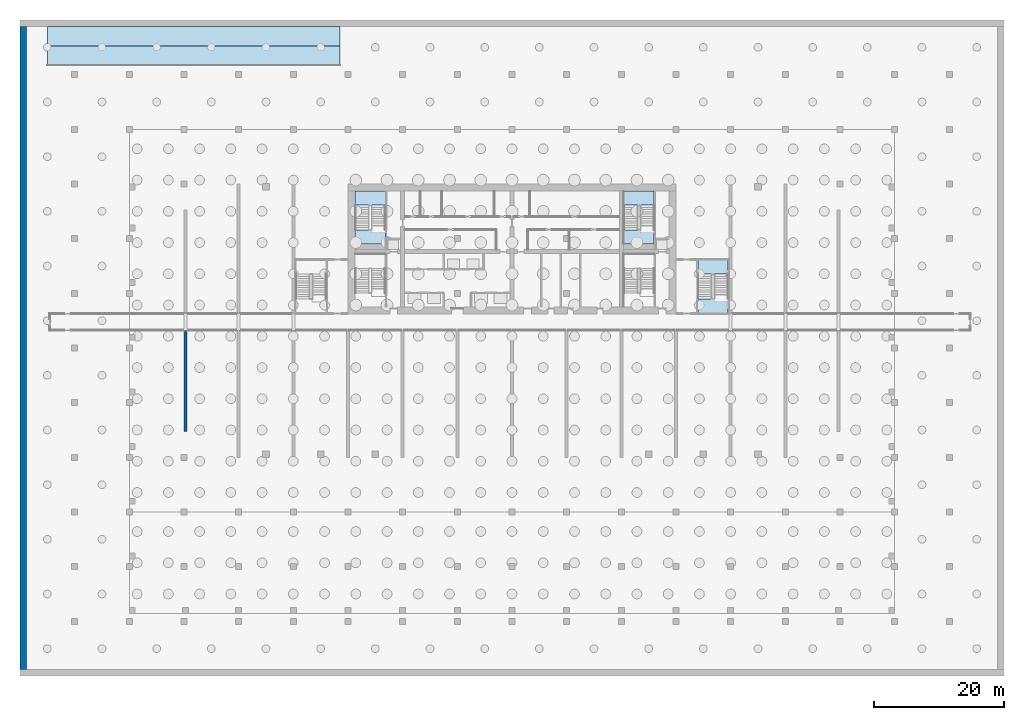
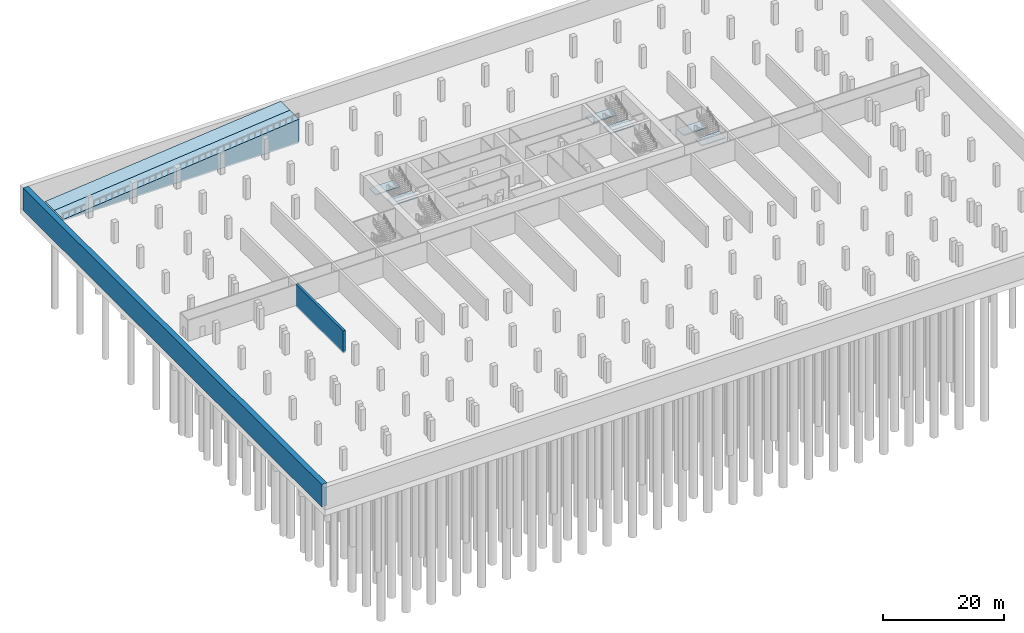
# One storey, part 4 of 17: 8 slabs, 2 walls, 3 elements without a shape of their own.
"""IFC4 building model written with IfcOpenShell, lengths in metres."""

from ifc_helpers import new_model, si_unit, direction, frame, frame_2d, origin, place, context, subcontext, project, spatial, polyline, rectangle, outline, extrude, source, transform, mapped, material, layer, layer_set, type_object, element, aggregate, save


model = new_model("IFC4")

# Units and contexts
model_context = context("Model", 3, precision=1e-05, world=origin(), true_north=direction((0.0, 1.0)))
body_context = subcontext(model_context, "Body", "Model", "MODEL_VIEW")
ifc_project = project(units=[si_unit("LENGTHUNIT", "METRE"), si_unit("AREAUNIT", "SQUARE_METRE"), si_unit("VOLUMEUNIT", "CUBIC_METRE"), si_unit("PLANEANGLEUNIT", "RADIAN"), si_unit("MASSUNIT", "GRAM", prefix="KILO")], contexts=[model_context])

# Site, building, storey
site_placement = place(None, origin())
site = spatial("IfcSite", under=ifc_project, at=site_placement, CompositionType="ELEMENT")
building_placement = place(site_placement, origin())
building = spatial("IfcBuilding", under=site, at=building_placement, Name="Vanashikhar Sky Hotel", CompositionType="ELEMENT")
storey_placement = place(building_placement, frame((0.0, 0.0, -13.5)))
storey = spatial("IfcBuildingStorey", under=building, at=storey_placement, Name="B3", CompositionType="ELEMENT", Elevation=-13.5)

# Stair, slabs
ifc_material_1 = material(Name="Concrete M40", Category="concrete")
stair_type = type_object("IfcStairType", Name="Exit stair 2150", PredefinedType="DOUBLE_RETURN_STAIR", material=ifc_material_1)
stair_1_placement = place(storey_placement, origin())
stair_1 = element("IfcStair", 1, at=stair_1_placement, inside=storey, type_object=stair_type, Name="B3 Exit stair 4", PredefinedType="DOUBLE_RETURN_STAIR")
ifc_layer_1 = layer(ifc_material_1, 0.199951171875)
ifc_layer_set_1 = layer_set([ifc_layer_1], Name="Stair landing 200")
slab_type_1 = type_object("IfcSlabType", Name="Stair landing 200", PredefinedType="LANDING", material=ifc_layer_set_1)
shared_shape_1 = source(origin(), body_context, "Body", "SweptSolid", [
    extrude(outline(polyline([(83.60009765625, 28.14990234375), (83.60009765625, 30.300048828125), (78.949951171875, 30.300048828125), (78.949951171875, 28.14990234375), (83.60009765625, 28.14990234375)])), origin(), (0.0, 0.0, 1.0), 0.199951171875),
])
slab_1_placement = place(storey_placement, frame((0.0, 0.0, 1.300048828125)))
slab_1 = element("IfcSlab", 2, at=slab_1_placement, type_object=slab_type_1, Name="ST-E landing 1", PredefinedType="LANDING", context=body_context, shape_type="MappedRepresentation", body=[
    mapped(shared_shape_1, transform((0.0, 0.0, 0.0), scale=1.0)),
])
shared_shape_2 = source(origin(), body_context, "Body", "SweptSolid", [
    extrude(outline(polyline([(83.60009765625, 22.199951171875), (83.60009765625, 24.35009765625), (78.949951171875, 24.35009765625), (78.949951171875, 22.199951171875), (83.60009765625, 22.199951171875)])), origin(), (0.0, 0.0, 1.0), 0.199951171875),
])
slab_2_placement = place(storey_placement, frame((0.0, 0.0, 2.800048828125)))
slab_2 = element("IfcSlab", 3, at=slab_2_placement, type_object=slab_type_1, Name="ST-E landing 2", PredefinedType="LANDING", context=body_context, shape_type="MappedRepresentation", body=[
    mapped(shared_shape_2, transform((0.0, 0.0, 0.0), scale=1.0)),
])
aggregate(stair_1, [slab_1, slab_2])

stair_2_placement = place(storey_placement, origin())
stair_2 = element("IfcStair", 4, at=stair_2_placement, inside=storey, type_object=stair_type, Name="B3 Exit stair 5", PredefinedType="DOUBLE_RETURN_STAIR")
shared_shape_3 = source(origin(), body_context, "Body", "SweptSolid", [
    extrude(outline(polyline([(30.949951171875, 38.75), (30.949951171875, 40.89990234375), (26.300048828125, 40.89990234375), (26.300048828125, 38.75), (30.949951171875, 38.75)])), origin(), (0.0, 0.0, 1.0), 0.199951171875),
])
slab_3_placement = place(storey_placement, frame((0.0, 0.0, 1.300048828125)))
slab_3 = element("IfcSlab", 5, at=slab_3_placement, type_object=slab_type_1, Name="ST-C3 landing 1", PredefinedType="LANDING", context=body_context, shape_type="MappedRepresentation", body=[
    mapped(shared_shape_3, transform((0.0, 0.0, 0.0), scale=1.0)),
])
shared_shape_4 = source(origin(), body_context, "Body", "SweptSolid", [
    extrude(outline(polyline([(30.949951171875, 32.800048828125), (30.949951171875, 34.949951171875), (26.300048828125, 34.949951171875), (26.300048828125, 32.800048828125), (30.949951171875, 32.800048828125)])), origin(), (0.0, 0.0, 1.0), 0.199951171875),
])
slab_4_placement = place(storey_placement, frame((0.0, 0.0, 2.800048828125)))
slab_4 = element("IfcSlab", 6, at=slab_4_placement, type_object=slab_type_1, Name="ST-C3 landing 2", PredefinedType="LANDING", context=body_context, shape_type="MappedRepresentation", body=[
    mapped(shared_shape_4, transform((0.0, 0.0, 0.0), scale=1.0)),
])
aggregate(stair_2, [slab_3, slab_4])

stair_3_placement = place(storey_placement, origin())
stair_3 = element("IfcStair", 7, at=stair_3_placement, inside=storey, type_object=stair_type, Name="B3 Exit stair 6", PredefinedType="DOUBLE_RETURN_STAIR")
shared_shape_5 = source(origin(), body_context, "Body", "SweptSolid", [
    extrude(outline(polyline([(72.25, 38.75), (72.25, 40.89990234375), (67.60009765625, 40.89990234375), (67.60009765625, 38.75), (72.25, 38.75)])), origin(), (0.0, 0.0, 1.0), 0.199951171875),
])
slab_5_placement = place(storey_placement, frame((0.0, 0.0, 1.300048828125)))
slab_5 = element("IfcSlab", 8, at=slab_5_placement, type_object=slab_type_1, Name="ST-C4 landing 1", PredefinedType="LANDING", context=body_context, shape_type="MappedRepresentation", body=[
    mapped(shared_shape_5, transform((0.0, 0.0, 0.0), scale=1.0)),
])
shared_shape_6 = source(origin(), body_context, "Body", "SweptSolid", [
    extrude(outline(polyline([(72.25, 32.800048828125), (72.25, 34.949951171875), (67.60009765625, 34.949951171875), (67.60009765625, 32.800048828125), (72.25, 32.800048828125)])), origin(), (0.0, 0.0, 1.0), 0.199951171875),
])
slab_6_placement = place(storey_placement, frame((0.0, 0.0, 2.800048828125)))
slab_6 = element("IfcSlab", 9, at=slab_6_placement, type_object=slab_type_1, Name="ST-C4 landing 2", PredefinedType="LANDING", context=body_context, shape_type="MappedRepresentation", body=[
    mapped(shared_shape_6, transform((0.0, 0.0, 0.0), scale=1.0)),
])
aggregate(stair_3, [slab_5, slab_6])

# Slabs
ifc_material_2 = material(Name="Concrete M30", Category="concrete")
slab_type_2 = type_object("IfcSlabType", Name="Vehicle ramp flight on fill", PredefinedType="USERDEFINED", material=ifc_material_2)
shared_shape_7 = source(origin(), body_context, "Body", "SweptSolid", [
    extrude(outline(polyline([(0.0, 0.0), (45.0, 0.0), (45.0, 0.300048828125), (0.0, 4.800048828125), (0.0, 0.0)])), frame((0.0, 1.5, 0.0), z_axis=(0.0, -1.0, 0.0), x_axis=(1.0, 0.0, 0.0)), (0.0, 0.0, 1.0), 3.0),
])
for number, where, z_axis, x_axis, name in (
    (10, (24.0, 61.699951171875, -0.300048828125), (0.0, 0.0, 1.0), (-1.0, 0.0, 0.0), "Entry vehicle ramp slab 3"),
    (11, (24.0, 64.699951171875, -0.300048828125), (0.0, 0.0, 1.0), (-1.0, 0.0, 0.0), "Exit vehicle ramp slab 3"),
):
    element("IfcSlab", number, at=place(storey_placement, frame(where, z_axis=z_axis, x_axis=x_axis)), inside=storey, type_object=slab_type_2, Name=name, ObjectType="Ramp slab", PredefinedType="USERDEFINED", context=body_context, shape_type="MappedRepresentation", body=[
        mapped(shared_shape_7, transform((0.0, 0.0, 0.0), scale=1.0)),
    ])

# Walls
ifc_material_3 = material(Name="Concrete M80", Category="concrete")
ifc_layer_2 = layer(ifc_material_3, 0.449951171875)
ifc_layer_set_2 = layer_set([ifc_layer_2], Name="RC shear wall 450 Concrete M80")
wall_type_1 = type_object("IfcWallType", Name="RC shear wall 450 Concrete M80", PredefinedType="SHEAR", material=ifc_layer_set_2)
shared_shape_8 = source(origin(), body_context, "Body", "SweptSolid", [
    extrude(rectangle(XDim=15.60009765625, YDim=0.449951171875, at=frame_2d((7.800048828125, 0.0))), origin(), (0.0, 0.0, 1.0), 4.52001953125),
])
wall_1_placement = place(storey_placement, frame((0.22509765625, 4.0, -0.300048828125), z_axis=(0.0, 0.0, 1.0), x_axis=(0.0, 1.0, 0.0)))
element("IfcWall", 12, at=wall_1_placement, inside=storey, type_object=wall_type_1, Name="CW-B3-XW01-1", PredefinedType="SHEAR", context=body_context, shape_type="MappedRepresentation", body=[
    mapped(shared_shape_8, transform((0.0, 0.0, 0.0), scale=1.0)),
])
ifc_material_4 = material(Name="Concrete M50", Category="concrete")
ifc_layer_3 = layer(ifc_material_4, 1.0)
ifc_layer_set_3 = layer_set([ifc_layer_3], Name="RC retaining wall 1000 Concrete M50")
wall_type_2 = type_object("IfcWallType", Name="RC retaining wall 1000 Concrete M50", PredefinedType="SHEAR", material=ifc_layer_set_3)
shared_shape_9 = source(origin(), body_context, "Body", "SweptSolid", [
    extrude(rectangle(XDim=98.800048828125, YDim=1.0, at=frame_2d((49.39990234375, 0.0))), origin(), (0.0, 0.0, 1.0), 4.52001953125),
])
wall_2_placement = place(storey_placement, frame((-24.699951171875, -32.60009765625, -0.300048828125), z_axis=(0.0, 0.0, 1.0), x_axis=(0.0, 1.0, 0.0)))
element("IfcWall", 13, at=wall_2_placement, inside=storey, type_object=wall_type_2, Name="RW-B3-W", PredefinedType="SHEAR", context=body_context, shape_type="MappedRepresentation", body=[
    mapped(shared_shape_9, transform((0.0, 0.0, 0.0), scale=1.0)),
])

save(model, "model.ifc")
